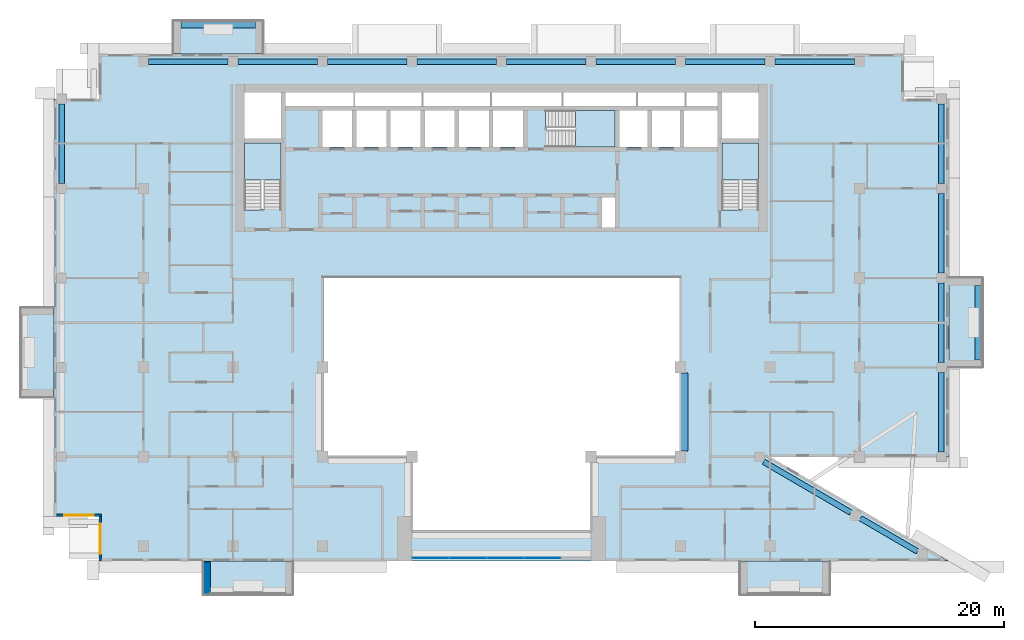
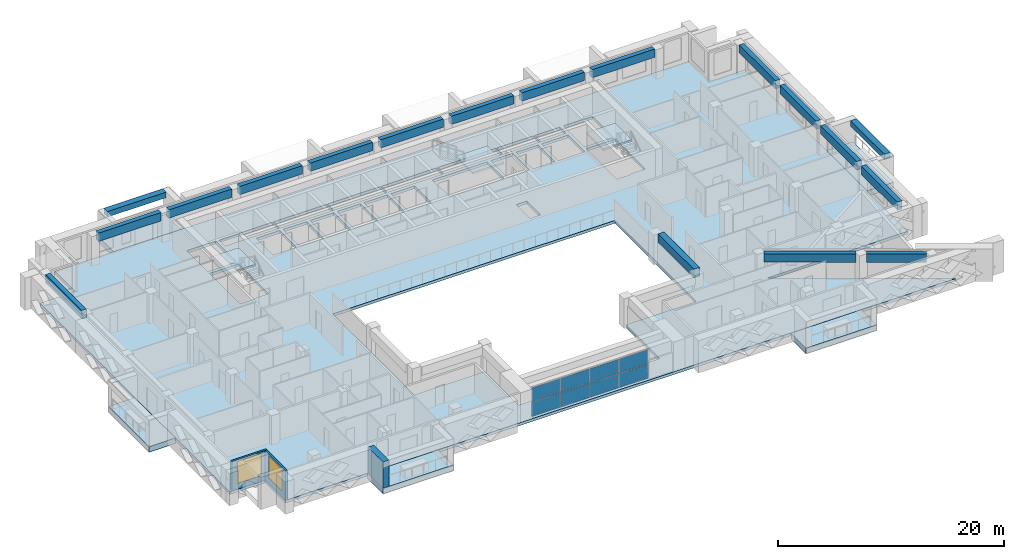
# One storey, part 5 of 20: 18 beams, 9 slabs, 8 plates, 3 walls, 2 windows, 2 openings, 4 elements without a shape of their own.
"""IFC4 building model written with IfcOpenShell, lengths in metres."""

from ifc_helpers import new_model, si_unit, direction, frame, frame_2d, origin, origin_2d, place, context, subcontext, project, spatial, polyline, rectangle, outline, extrude, source, transform, mapped, material, layer, layer_set, material_profile, profile_set, type_object, element, fill, aggregate, save


model = new_model("IFC4")

# Units and contexts
model_context = context("Model", 3, precision=1e-05, world=origin(), true_north=direction((0.0, 1.0)))
body_context = subcontext(model_context, "Body", "Model", "MODEL_VIEW")
ifc_project = project(units=[si_unit("LENGTHUNIT", "METRE"), si_unit("AREAUNIT", "SQUARE_METRE"), si_unit("VOLUMEUNIT", "CUBIC_METRE"), si_unit("PLANEANGLEUNIT", "RADIAN"), si_unit("MASSUNIT", "GRAM", prefix="KILO")], contexts=[model_context])

# Site, building, storey
site_placement = place(None, origin())
site = spatial("IfcSite", under=ifc_project, at=site_placement, CompositionType="ELEMENT")
building_placement = place(site_placement, origin())
building = spatial("IfcBuilding", under=site, at=building_placement, Name="Saffron Iwan Residences", CompositionType="ELEMENT")
storey_placement = place(building_placement, frame((0.0, 0.0, 181.5)))
storey = spatial("IfcBuildingStorey", under=building, at=storey_placement, Name="L48", CompositionType="ELEMENT", Elevation=181.5)

# Beams
ifc_material_1 = material(Name="Concrete C50/60", Category="concrete")
ifc_material_profile_1 = material_profile(ifc_material_1, rectangle(XDim=0.449951171875, YDim=0.89990234375, at=origin_2d()), Name="RC 450x900")
ifc_profile_set_1 = profile_set([ifc_material_profile_1], Name="Concrete C50/60")
beam_type_1 = type_object("IfcBeamType", Name="SPANDREL BEAM RC 450x900 C50/60 TOP 3200", PredefinedType="SPANDREL", material=ifc_profile_set_1)
shared_shape_1 = source(origin(), body_context, "Body", "SweptSolid", [
    extrude(rectangle(XDim=0.449951171875, YDim=0.89990234375, at=origin_2d()), origin(), (0.0, 0.0, 1.0), 5.300537109375),
])
beam_1_placement = place(storey_placement, frame((79.297607421875, 43.04833984375, 2.75), z_axis=(0.86379560586, -0.503842387357, 0.0), x_axis=(0.503842387357, 0.86379560586, 0.0)))
element("IfcBeam", 1, at=beam_1_placement, inside=storey, type_object=beam_type_1, Name="Spandrel beam", PredefinedType="SPANDREL", context=body_context, shape_type="MappedRepresentation", body=[
    mapped(shared_shape_1, transform((0.0, 0.0, 0.0))),
])
shared_shape_2 = source(origin(), body_context, "Body", "SweptSolid", [
    extrude(rectangle(XDim=0.449951171875, YDim=0.89990234375, at=origin_2d()), origin(), (0.0, 0.0, 1.0), 8.107177734375),
])
beam_2_placement = place(storey_placement, frame((71.494873046875, 47.60009765625, 2.75), z_axis=(0.863783269703, -0.503863536071, 0.0), x_axis=(0.503863536071, 0.863783269703, 0.0)))
element("IfcBeam", 2, at=beam_2_placement, inside=storey, type_object=beam_type_1, Name="Spandrel beam", PredefinedType="SPANDREL", context=body_context, shape_type="MappedRepresentation", body=[
    mapped(shared_shape_2, transform((0.0, 0.0, 0.0))),
])
shared_shape_3 = source(origin(), body_context, "Body", "SweptSolid", [
    extrude(rectangle(XDim=0.449951171875, YDim=0.89990234375, at=origin_2d()), origin(), (0.0, 0.0, 1.0), 6.400146484375),
])
for number, where, z_axis, x_axis, name in (
    (3, (85.800048828125, 54.800048828125, 2.75), (0.0, -1.0, 0.0), (1.0, 0.0, 0.0), "Spandrel beam"),
    (4, (29.199951171875, 79.800048828125, 2.75), (1.0, 0.0, 0.0), (0.0, 1.0, 0.0), "Spandrel beam"),
    (5, (36.39990234375, 79.800048828125, 2.75), (1.0, 0.0, 0.0), (0.0, 1.0, 0.0), "Spandrel beam"),
    (6, (65.199951171875, 79.800048828125, 2.75), (1.0, 0.0, 0.0), (0.0, 1.0, 0.0), "Spandrel beam"),
    (7, (72.39990234375, 79.800048828125, 2.75), (1.0, 0.0, 0.0), (0.0, 1.0, 0.0), "Spandrel beam"),
):
    element("IfcBeam", number, at=place(storey_placement, frame(where, z_axis=z_axis, x_axis=x_axis)), inside=storey, type_object=beam_type_1, Name=name, PredefinedType="SPANDREL", context=body_context, shape_type="MappedRepresentation", body=[
        mapped(shared_shape_3, transform((0.0, 0.0, 0.0))),
    ])
shared_shape_4 = source(origin(), body_context, "Body", "SweptSolid", [
    extrude(rectangle(XDim=0.449951171875, YDim=0.89990234375, at=origin_2d()), origin(), (0.0, 0.0, 1.0), 6.39990234375),
])
for number, where, z_axis, x_axis, name in (
    (8, (85.800048828125, 62.0, 2.75), (0.0, -1.0, 0.0), (1.0, 0.0, 0.0), "Spandrel beam"),
    (9, (85.800048828125, 69.199951171875, 2.75), (0.0, -1.0, 0.0), (1.0, 0.0, 0.0), "Spandrel beam"),
    (10, (15.0, 70.0, 2.75), (0.0, 1.0, 0.0), (-1.0, 0.0, 0.0), "Spandrel beam"),
    (11, (85.800048828125, 76.39990234375, 2.75), (0.0, -1.0, 0.0), (1.0, 0.0, 0.0), "Spandrel beam"),
    (12, (22.0, 79.800048828125, 2.75), (1.0, 0.0, 0.0), (0.0, 1.0, 0.0), "Spandrel beam"),
    (13, (43.60009765625, 79.800048828125, 2.75), (1.0, 0.0, 0.0), (0.0, 1.0, 0.0), "Spandrel beam"),
    (14, (50.800048828125, 79.800048828125, 2.75), (1.0, 0.0, 0.0), (0.0, 1.0, 0.0), "Spandrel beam"),
    (15, (58.0, 79.800048828125, 2.75), (1.0, 0.0, 0.0), (0.0, 1.0, 0.0), "Spandrel beam"),
):
    element("IfcBeam", number, at=place(storey_placement, frame(where, z_axis=z_axis, x_axis=x_axis)), inside=storey, type_object=beam_type_1, Name=name, PredefinedType="SPANDREL", context=body_context, shape_type="MappedRepresentation", body=[
        mapped(shared_shape_4, transform((0.0, 0.0, 0.0))),
    ])
ifc_material_profile_2 = material_profile(ifc_material_1, rectangle(XDim=0.60009765625, YDim=0.89990234375, at=origin_2d()), Name="RC 600x900")
ifc_profile_set_2 = profile_set([ifc_material_profile_2], Name="Concrete C50/60")
beam_type_2 = type_object("IfcBeamType", Name="BEAM RC 600x900 C50/60 TOP 3200", PredefinedType="BEAM", material=ifc_profile_set_2)
shared_shape_5 = source(origin(), body_context, "Body", "SweptSolid", [
    extrude(rectangle(XDim=0.60009765625, YDim=0.89990234375, at=origin_2d()), origin(), (0.0, 0.0, 1.0), 6.300048828125),
])
beam_3_placement = place(storey_placement, frame((65.10009765625, 54.75, 2.75), z_axis=(0.0, -1.0, 0.0), x_axis=(1.0, 0.0, 0.0)))
element("IfcBeam", 16, at=beam_3_placement, inside=storey, type_object=beam_type_2, Name="Atrium edge beam", PredefinedType="BEAM", context=body_context, shape_type="MappedRepresentation", body=[
    mapped(shared_shape_5, transform((0.0, 0.0, 0.0))),
])
ifc_material_2 = material(Name="Concrete C50/60 white painted", Category="concrete")
ifc_material_profile_3 = material_profile(ifc_material_2, rectangle(XDim=0.60009765625, YDim=0.60009765625, at=origin_2d()), Name="BALCONY FASCIA BEAM 600 x 600")
ifc_profile_set_3 = profile_set([ifc_material_profile_3], Name="Concrete C50/60 white painted")
beam_type_3 = type_object("IfcBeamType", Name="BALCONY FASCIA BEAM 600 x 600", PredefinedType="BEAM", material=ifc_profile_set_3)
shared_shape_6 = source(origin(), body_context, "Body", "SweptSolid", [
    extrude(rectangle(XDim=0.60009765625, YDim=0.60009765625, at=origin_2d()), origin(), (0.0, 0.0, 1.0), 6.0),
])
for number, where, z_axis, x_axis, name in (
    (17, (88.800048828125, 55.800048828125, 2.550048828125), (0.0, 1.0, 0.0), (-1.0, 0.0, 0.0), "Balcony fascia beam L48 F2-0"),
    (18, (30.60009765625, 82.800048828125, 2.550048828125), (-1.0, 0.0, 0.0), (0.0, -1.0, 0.0), "Balcony fascia beam L48 F5-3"),
):
    element("IfcBeam", number, at=place(storey_placement, frame(where, z_axis=z_axis, x_axis=x_axis)), inside=storey, type_object=beam_type_3, Name=name, PredefinedType="BEAM", context=body_context, shape_type="MappedRepresentation", body=[
        mapped(shared_shape_6, transform((0.0, 0.0, 0.0))),
    ])

# Slabs
ifc_layer_1 = layer(ifc_material_2, 0.60009765625)
ifc_layer_set_1 = layer_set([ifc_layer_1], Name="Concrete C50/60 white painted")
slab_type_1 = type_object("IfcSlabType", Name="BALCONY FRAME SLAB 600", PredefinedType="FLOOR", material=ifc_layer_set_1)
slab_1_placement = place(storey_placement, frame((0.0, 0.0, -0.60009765625)))
element("IfcSlab", 19, at=slab_1_placement, inside=storey, type_object=slab_type_1, Name="Balcony frame slab L48 F2-0", PredefinedType="FLOOR", context=body_context, shape_type="SweptSolid", body=[
    extrude(outline(polyline([(89.10009765625, 55.199951171875), (89.10009765625, 62.39990234375), (86.39990234375, 62.39990234375), (86.39990234375, 55.199951171875), (89.10009765625, 55.199951171875)])), origin(), (0.0, 0.0, 1.0), 0.60009765625),
])
slab_2_placement = place(storey_placement, frame((0.0, 0.0, -0.60009765625)))
element("IfcSlab", 20, at=slab_2_placement, inside=storey, type_object=slab_type_1, Name="Balcony frame slab L48 F5-3", PredefinedType="FLOOR", context=body_context, shape_type="SweptSolid", body=[
    extrude(outline(polyline([(31.199951171875, 83.10009765625), (24.0, 83.10009765625), (24.0, 80.39990234375), (31.199951171875, 80.39990234375), (31.199951171875, 83.10009765625)])), origin(), (0.0, 0.0, 1.0), 0.60009765625),
])
slab_3_placement = place(storey_placement, frame((0.0, 0.0, -0.60009765625)))
element("IfcSlab", 21, at=slab_3_placement, inside=storey, type_object=slab_type_1, Name="Balcony frame slab L48 F8-1", PredefinedType="FLOOR", context=body_context, shape_type="SweptSolid", body=[
    extrude(outline(polyline([(11.699951171875, 60.0), (11.699951171875, 52.800048828125), (14.39990234375, 52.800048828125), (14.39990234375, 60.0), (11.699951171875, 60.0)])), origin(), (0.0, 0.0, 1.0), 0.60009765625),
])
slab_4_placement = place(storey_placement, frame((0.0, 0.0, -0.60009765625)))
element("IfcSlab", 22, at=slab_4_placement, inside=storey, type_object=slab_type_1, Name="Balcony frame slab L48 11-0", PredefinedType="FLOOR", context=body_context, shape_type="SweptSolid", body=[
    extrude(outline(polyline([(26.39990234375, 36.89990234375), (33.60009765625, 36.89990234375), (33.60009765625, 39.60009765625), (26.39990234375, 39.60009765625), (26.39990234375, 36.89990234375)])), origin(), (0.0, 0.0, 1.0), 0.60009765625),
])
slab_5_placement = place(storey_placement, frame((0.0, 0.0, -0.60009765625)))
element("IfcSlab", 23, at=slab_5_placement, inside=storey, type_object=slab_type_1, Name="Balcony frame slab L48 11-1", PredefinedType="FLOOR", context=body_context, shape_type="SweptSolid", body=[
    extrude(outline(polyline([(69.60009765625, 36.89990234375), (76.800048828125, 36.89990234375), (76.800048828125, 39.60009765625), (69.60009765625, 39.60009765625), (69.60009765625, 36.89990234375)])), origin(), (0.0, 0.0, 1.0), 0.60009765625),
])
ifc_material_3 = material(Name="Concrete C40/50", Category="concrete")
ifc_layer_2 = layer(ifc_material_3, 0.300048828125)
ifc_layer_set_2 = layer_set([ifc_layer_2], Name="Concrete C40/50")
slab_type_2 = type_object("IfcSlabType", Name="PT PLATE 300 C40/50", PredefinedType="FLOOR", material=ifc_layer_set_2)
slab_6_placement = place(storey_placement, frame((0.0, 0.0, -0.300048828125)))
element("IfcSlab", 24, at=slab_6_placement, inside=storey, type_object=slab_type_2, Name="Floor slab L48", PredefinedType="FLOOR", context=body_context, shape_type="SweptSolid", body=[
    extrude(outline(polyline([(14.39990234375, 43.199951171875), (14.39990234375, 76.800048828125), (18.0, 76.800048828125), (18.0, 80.39990234375), (82.800048828125, 80.39990234375), (82.800048828125, 76.800048828125), (86.39990234375, 76.800048828125), (86.39990234375, 48.0), (72.0, 48.0), (86.39990234375, 39.60009765625), (18.0, 39.60009765625), (18.0, 43.199951171875), (14.39990234375, 43.199951171875)]), holes=[polyline([(64.800048828125, 48.0), (64.800048828125, 62.39990234375), (36.0, 62.39990234375), (36.0, 48.0), (43.199951171875, 48.0), (43.199951171875, 42.0), (57.60009765625, 42.0), (57.60009765625, 48.0), (64.800048828125, 48.0)]), polyline([(29.699951171875, 73.25), (29.699951171875, 67.949951171875), (29.699951171875, 67.8505859375), (31.10009765625, 67.8505859375), (31.10009765625, 67.949951171875), (32.64990234375, 67.949951171875), (32.64990234375, 73.25), (29.699951171875, 73.25)]), polyline([(38.375, 75.875), (35.97509765625, 75.875), (35.97509765625, 72.925048828125), (38.375, 72.925048828125), (38.375, 75.875)]), polyline([(41.125, 75.875), (38.72509765625, 75.875), (38.72509765625, 72.925048828125), (41.125, 72.925048828125), (41.125, 75.875)]), polyline([(43.875, 72.925048828125), (43.875, 75.875), (41.47509765625, 75.875), (41.47509765625, 72.925048828125), (43.875, 72.925048828125)]), polyline([(46.625, 72.925048828125), (46.625, 75.875), (44.22509765625, 75.875), (44.22509765625, 72.925048828125), (46.625, 72.925048828125)]), polyline([(49.375, 75.875), (46.97509765625, 75.875), (46.97509765625, 72.925048828125), (49.375, 72.925048828125), (49.375, 75.875)]), polyline([(52.125, 72.925048828125), (52.125, 75.875), (49.72509765625, 75.875), (49.72509765625, 72.925048828125), (52.125, 72.925048828125)]), polyline([(32.64990234375, 73.60009765625), (32.64990234375, 77.300048828125), (29.699951171875, 77.300048828125), (29.699951171875, 73.60009765625), (32.64990234375, 73.60009765625)]), polyline([(38.5, 77.300048828125), (33.0, 77.300048828125), (33.0, 76.22509765625), (38.5, 76.22509765625), (38.5, 77.300048828125)]), polyline([(44.0, 76.22509765625), (44.0, 77.300048828125), (38.60009765625, 77.300048828125), (38.60009765625, 76.22509765625), (44.0, 76.22509765625)]), polyline([(49.5, 76.22509765625), (49.5, 77.300048828125), (44.10009765625, 77.300048828125), (44.10009765625, 76.22509765625), (49.5, 76.22509765625)]), polyline([(59.550048828125, 68.875), (58.47509765625, 68.875), (58.47509765625, 66.449951171875), (59.550048828125, 66.449951171875), (59.550048828125, 68.875)]), polyline([(68.14990234375, 73.25), (68.14990234375, 67.949951171875), (68.14990234375, 67.8505859375), (69.550048828125, 67.8505859375), (69.550048828125, 67.949951171875), (71.10009765625, 67.949951171875), (71.10009765625, 73.25), (68.14990234375, 73.25)]), polyline([(54.02490234375, 74.47509765625), (54.02490234375, 72.925048828125), (59.550048828125, 72.925048828125), (59.550048828125, 75.875), (54.02490234375, 75.875), (53.925537109375, 75.875), (53.925537109375, 74.47509765625), (54.02490234375, 74.47509765625)]), polyline([(62.14990234375, 72.925048828125), (62.14990234375, 75.875), (59.89990234375, 75.875), (59.89990234375, 72.925048828125), (62.14990234375, 72.925048828125)]), polyline([(64.75, 72.925048828125), (64.75, 75.875), (62.5, 75.875), (62.5, 72.925048828125), (64.75, 72.925048828125)]), polyline([(67.800048828125, 75.875), (65.10009765625, 75.875), (65.10009765625, 72.925048828125), (67.800048828125, 72.925048828125), (67.800048828125, 75.875)]), polyline([(71.10009765625, 73.60009765625), (71.10009765625, 77.300048828125), (68.14990234375, 77.300048828125), (68.14990234375, 73.60009765625), (71.10009765625, 73.60009765625)]), polyline([(55.25, 76.22509765625), (55.25, 77.300048828125), (49.60009765625, 77.300048828125), (49.60009765625, 76.22509765625), (55.25, 76.22509765625)]), polyline([(61.25, 77.300048828125), (55.35009765625, 77.300048828125), (55.35009765625, 76.22509765625), (61.25, 76.22509765625), (61.25, 77.300048828125)]), polyline([(65.14990234375, 76.22509765625), (65.14990234375, 77.300048828125), (61.35009765625, 77.300048828125), (61.35009765625, 76.22509765625), (65.14990234375, 76.22509765625)]), polyline([(67.800048828125, 76.22509765625), (67.800048828125, 77.300048828125), (65.25, 77.300048828125), (65.25, 76.22509765625), (67.800048828125, 76.22509765625)])]), origin(), (0.0, 0.0, 1.0), 0.300048828125),
])

# Stair, slab
stair_type = type_object("IfcStairType", Name="Stair ST-CORE", PredefinedType="HALF_TURN_STAIR", material=ifc_material_1)
stair_1_placement = place(storey_placement, origin())
stair_1 = element("IfcStair", 25, at=stair_1_placement, inside=storey, type_object=stair_type, Name="L48 Exit Stair ST-W", PredefinedType="HALF_TURN_STAIR")
ifc_layer_3 = layer(ifc_material_1, 0.199951171875)
ifc_layer_set_3 = layer_set([ifc_layer_3], Name="Concrete C50/60")
slab_type_3 = type_object("IfcSlabType", Name="Stair landing SL-RC", PredefinedType="LANDING", material=ifc_layer_set_3)
slab_7_placement = place(storey_placement, frame((0.0, 0.0, 1.5498046875)))
slab_7 = element("IfcSlab", 26, at=slab_7_placement, type_object=slab_type_3, Name="ST-W landing 1", PredefinedType="LANDING", context=body_context, shape_type="SweptSolid", body=[
    extrude(outline(polyline([(32.64990234375, 70.280029296875), (32.64990234375, 73.25), (29.699951171875, 73.25), (29.699951171875, 70.280029296875), (32.64990234375, 70.280029296875)])), origin(), (0.0, 0.0, 1.0), 0.2001953125),
])
aggregate(stair_1, [slab_7])

stair_2_placement = place(storey_placement, origin())
stair_2 = element("IfcStair", 27, at=stair_2_placement, inside=storey, type_object=stair_type, Name="L48 Exit Stair ST-C", PredefinedType="HALF_TURN_STAIR")
slab_8_placement = place(storey_placement, frame((0.0, 0.0, 1.5498046875)))
slab_8 = element("IfcSlab", 28, at=slab_8_placement, type_object=slab_type_3, Name="ST-C landing 1", PredefinedType="LANDING", context=body_context, shape_type="SweptSolid", body=[
    extrude(outline(polyline([(56.35498046875, 72.925048828125), (59.550048828125, 72.925048828125), (59.550048828125, 75.875), (56.35498046875, 75.875), (56.35498046875, 72.925048828125)])), origin(), (0.0, 0.0, 1.0), 0.2001953125),
])
aggregate(stair_2, [slab_8])

stair_3_placement = place(storey_placement, origin())
stair_3 = element("IfcStair", 29, at=stair_3_placement, inside=storey, type_object=stair_type, Name="L48 Exit Stair ST-E", PredefinedType="HALF_TURN_STAIR")
slab_9_placement = place(storey_placement, frame((0.0, 0.0, 1.5498046875)))
slab_9 = element("IfcSlab", 30, at=slab_9_placement, type_object=slab_type_3, Name="ST-E landing 1", PredefinedType="LANDING", context=body_context, shape_type="SweptSolid", body=[
    extrude(outline(polyline([(71.10009765625, 70.280029296875), (71.10009765625, 73.25), (68.14990234375, 73.25), (68.14990234375, 70.280029296875), (71.10009765625, 70.280029296875)])), origin(), (0.0, 0.0, 1.0), 0.2001953125),
])
aggregate(stair_3, [slab_9])

# Curtain wall, plates
ifc_material_4 = material(Name="Clear glass, laminated double glazed", Category="glass")
ifc_layer_4 = layer(ifc_material_4, 0.199951171875)
ifc_layer_set_4 = layer_set([ifc_layer_4], Name="Clear glass, laminated double glazed")
curtain_wall_type = type_object("IfcCurtainWallType", Name="CW-B IWAN PORTAL", PredefinedType="NOTDEFINED", material=ifc_layer_set_4)
curtain_wall_placement = place(storey_placement, origin())
curtain_wall = element("IfcCurtainWall", 31, at=curtain_wall_placement, inside=storey, type_object=curtain_wall_type, Name="Iwan portal glazing L48.1", PredefinedType="NOTDEFINED")
ifc_layer_5 = layer(ifc_material_4, 0.028076171875)
ifc_layer_set_5 = layer_set([ifc_layer_5], Name="Clear glass, laminated double glazed")
plate_type = type_object("IfcPlateType", Name="CW-B PANEL 28", PredefinedType="CURTAIN_PANEL", material=ifc_layer_set_5)
shared_shape_7 = source(origin(), body_context, "Body", "SweptSolid", [
    extrude(rectangle(XDim=2.909912109375, YDim=0.028076171875, at=origin_2d()), origin(), (0.0, 0.0, 1.0), 1.510009765625),
])
plate_1_placement = place(storey_placement, frame((44.715087890625, 39.85009765625, 0.06005859375), z_axis=(0.0, 0.0, 1.0), x_axis=(1.0, 0.0, 0.0)))
plate_1 = element("IfcPlate", 32, at=plate_1_placement, type_object=plate_type, Name="CW-B panel 1.1", PredefinedType="CURTAIN_PANEL", context=body_context, shape_type="MappedRepresentation", body=[
    mapped(shared_shape_7, transform((0.0, 0.0, 0.0))),
])
plate_2_placement = place(storey_placement, frame((44.715087890625, 39.85009765625, 1.6298828125), z_axis=(0.0, 0.0, 1.0), x_axis=(1.0, 0.0, 0.0)))
plate_2 = element("IfcPlate", 33, at=plate_2_placement, type_object=plate_type, Name="CW-B panel 1.2", PredefinedType="CURTAIN_PANEL", context=body_context, shape_type="MappedRepresentation", body=[
    mapped(shared_shape_7, transform((0.0, 0.0, 0.0))),
])
plate_3_placement = place(storey_placement, frame((53.68505859375, 39.85009765625, 0.06005859375), z_axis=(0.0, 0.0, 1.0), x_axis=(1.0, 0.0, 0.0)))
plate_3 = element("IfcPlate", 34, at=plate_3_placement, type_object=plate_type, Name="CW-B panel 4.1", PredefinedType="CURTAIN_PANEL", context=body_context, shape_type="MappedRepresentation", body=[
    mapped(shared_shape_7, transform((0.0, 0.0, 0.0))),
])
plate_4_placement = place(storey_placement, frame((53.68505859375, 39.85009765625, 1.6298828125), z_axis=(0.0, 0.0, 1.0), x_axis=(1.0, 0.0, 0.0)))
plate_4 = element("IfcPlate", 35, at=plate_4_placement, type_object=plate_type, Name="CW-B panel 4.2", PredefinedType="CURTAIN_PANEL", context=body_context, shape_type="MappedRepresentation", body=[
    mapped(shared_shape_7, transform((0.0, 0.0, 0.0))),
])
shared_shape_8 = source(origin(), body_context, "Body", "SweptSolid", [
    extrude(rectangle(XDim=2.93994140625, YDim=0.028076171875, at=origin_2d()), origin(), (0.0, 0.0, 1.0), 1.510009765625),
])
plate_5_placement = place(storey_placement, frame((47.699951171875, 39.85009765625, 0.06005859375), z_axis=(0.0, 0.0, 1.0), x_axis=(1.0, 0.0, 0.0)))
plate_5 = element("IfcPlate", 36, at=plate_5_placement, type_object=plate_type, Name="CW-B panel 2.1", PredefinedType="CURTAIN_PANEL", context=body_context, shape_type="MappedRepresentation", body=[
    mapped(shared_shape_8, transform((0.0, 0.0, 0.0))),
])
plate_6_placement = place(storey_placement, frame((47.699951171875, 39.85009765625, 1.6298828125), z_axis=(0.0, 0.0, 1.0), x_axis=(1.0, 0.0, 0.0)))
plate_6 = element("IfcPlate", 37, at=plate_6_placement, type_object=plate_type, Name="CW-B panel 2.2", PredefinedType="CURTAIN_PANEL", context=body_context, shape_type="MappedRepresentation", body=[
    mapped(shared_shape_8, transform((0.0, 0.0, 0.0))),
])
plate_7_placement = place(storey_placement, frame((50.699951171875, 39.85009765625, 0.06005859375), z_axis=(0.0, 0.0, 1.0), x_axis=(1.0, 0.0, 0.0)))
plate_7 = element("IfcPlate", 38, at=plate_7_placement, type_object=plate_type, Name="CW-B panel 3.1", PredefinedType="CURTAIN_PANEL", context=body_context, shape_type="MappedRepresentation", body=[
    mapped(shared_shape_8, transform((0.0, 0.0, 0.0))),
])
plate_8_placement = place(storey_placement, frame((50.699951171875, 39.85009765625, 1.6298828125), z_axis=(0.0, 0.0, 1.0), x_axis=(1.0, 0.0, 0.0)))
plate_8 = element("IfcPlate", 39, at=plate_8_placement, type_object=plate_type, Name="CW-B panel 3.2", PredefinedType="CURTAIN_PANEL", context=body_context, shape_type="MappedRepresentation", body=[
    mapped(shared_shape_8, transform((0.0, 0.0, 0.0))),
])
aggregate(curtain_wall, [plate_1, plate_2, plate_5, plate_6, plate_7, plate_8, plate_3, plate_4])

# Wall
ifc_layer_6 = layer(ifc_material_2, 0.60009765625)
ifc_layer_set_6 = layer_set([ifc_layer_6], Name="Concrete C50/60 white painted")
wall_type_1 = type_object("IfcWallType", Name="BALCONY FIN 600", PredefinedType="SOLIDWALL", material=ifc_layer_set_6)
wall_1_placement = place(storey_placement, frame((26.699951171875, 39.550048828125, 0.0), z_axis=(0.0, 0.0, 1.0), x_axis=(0.0, -1.0, 0.0)))
element("IfcWall", 40, at=wall_1_placement, inside=storey, type_object=wall_type_1, Name="Balcony fin L48 11-0a", PredefinedType="SOLIDWALL", context=body_context, shape_type="SweptSolid", body=[
    extrude(rectangle(XDim=2.650146484375, YDim=0.60009765625, at=frame_2d((1.3251953125, 0.0))), origin(), (0.0, 0.0, 1.0), 2.85009765625),
])

# Wall, opening, window
ifc_layer_7 = layer(ifc_material_3, 0.199951171875)
ifc_layer_set_7 = layer_set([ifc_layer_7], Name="Concrete C40/50")
wall_type_2 = type_object("IfcWallType", Name="EXTERNAL WALL 200", PredefinedType="SOLIDWALL", material=ifc_layer_set_7)
wall_2_placement = place(storey_placement, frame((14.60009765625, 43.300048828125, 0.0), z_axis=(0.0, 0.0, 1.0), x_axis=(1.0, 0.0, 0.0)))
wall_2 = element("IfcWall", 41, at=wall_2_placement, inside=storey, type_object=wall_type_2, Name="External wall L48 F9.0", PredefinedType="SOLIDWALL", context=body_context, shape_type="SweptSolid", body=[
    extrude(rectangle(XDim=3.599853515625, YDim=0.199951171875, at=frame_2d((1.7998046875, 0.0))), origin(), (0.0, 0.0, 1.0), 3.199951171875),
])
opening_1_placement = place(wall_2_placement, frame((0.60009765625, 0.0, 0.60009765625)))
opening_1 = element("IfcOpeningElement", 42, at=opening_1_placement, cuts=wall_2, Name="Opening W1", PredefinedType="OPENING", context=body_context, shape_type="SweptSolid", body=[
    extrude(rectangle(XDim=2.39990234375, YDim=2.39990234375, at=frame_2d((1.199951171875, 1.199951171875))), frame((0.0, 0.10986328125, 0.0), z_axis=(0.0, -1.0, 0.0), x_axis=(1.0, 0.0, 0.0)), (0.0, 0.0, 1.0), 0.219970703125),
])
window_type = type_object("IfcWindowType", Name="WINDOW 2400 x 2400", PartitioningType="DOUBLE_PANEL_VERTICAL", PredefinedType="WINDOW", material=ifc_material_4)
window_1_placement = place(opening_1_placement, origin())
window_1 = element("IfcWindow", 43, at=window_1_placement, inside=storey, type_object=window_type, Name="Window L48 F9.0", OverallHeight=2.39990234375, OverallWidth=2.39990234375, PartitioningType="DOUBLE_PANEL_VERTICAL", PredefinedType="WINDOW", context=body_context, shape_type="SweptSolid", body=[
    extrude(rectangle(XDim=2.39990234375, YDim=2.39990234375, at=frame_2d((1.199951171875, 1.199951171875))), frame((0.0, 0.030029296875, 0.0), z_axis=(0.0, -1.0, 0.0), x_axis=(1.0, 0.0, 0.0)), (0.0, 0.0, 1.0), 0.06005859375),
])
fill(opening_1, window_1)

wall_3_placement = place(storey_placement, frame((18.10009765625, 43.199951171875, 0.0), z_axis=(0.0, 0.0, 1.0), x_axis=(0.0, -1.0, 0.0)))
wall_3 = element("IfcWall", 44, at=wall_3_placement, inside=storey, type_object=wall_type_2, Name="External wall L48 F10.0", PredefinedType="SOLIDWALL", context=body_context, shape_type="SweptSolid", body=[
    extrude(rectangle(XDim=3.599853515625, YDim=0.199951171875, at=frame_2d((1.7998046875, 0.0))), origin(), (0.0, 0.0, 1.0), 3.199951171875),
])
opening_2_placement = place(wall_3_placement, frame((0.60009765625, 0.0, 0.60009765625)))
opening_2 = element("IfcOpeningElement", 45, at=opening_2_placement, cuts=wall_3, Name="Opening W1", PredefinedType="OPENING", context=body_context, shape_type="SweptSolid", body=[
    extrude(rectangle(XDim=2.39990234375, YDim=2.39990234375, at=frame_2d((1.199951171875, 1.199951171875))), frame((0.0, 0.10986328125, 0.0), z_axis=(0.0, -1.0, 0.0), x_axis=(1.0, 0.0, 0.0)), (0.0, 0.0, 1.0), 0.219970703125),
])
window_2_placement = place(opening_2_placement, origin())
window_2 = element("IfcWindow", 46, at=window_2_placement, inside=storey, type_object=window_type, Name="Window L48 F10.0", OverallHeight=2.39990234375, OverallWidth=2.39990234375, PartitioningType="DOUBLE_PANEL_VERTICAL", PredefinedType="WINDOW", context=body_context, shape_type="SweptSolid", body=[
    extrude(rectangle(XDim=2.39990234375, YDim=2.39990234375, at=frame_2d((1.199951171875, 1.199951171875))), frame((0.0, 0.030029296875, 0.0), z_axis=(0.0, -1.0, 0.0), x_axis=(1.0, 0.0, 0.0)), (0.0, 0.0, 1.0), 0.06005859375),
])
fill(opening_2, window_2)

save(model, "model.ifc")
